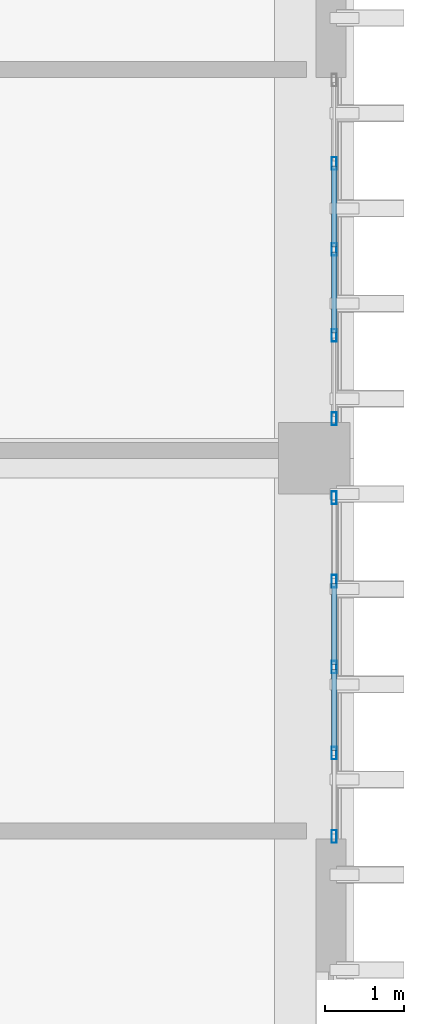
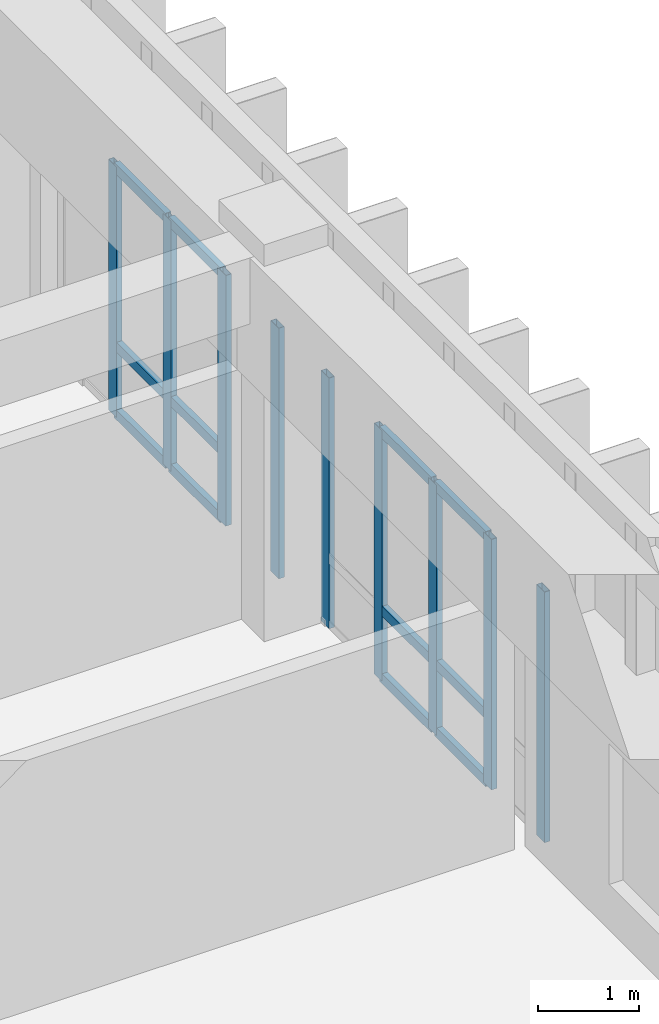
# One storey, part 57 of 101: 21 members, 2 elements without a shape of their own.
"""IFC4 building model written with IfcOpenShell, lengths in metres."""

from ifc_helpers import new_model, si_unit, direction, frame, origin, origin_2d, place, context, subcontext, project, spatial, hollow_rectangle, extrude, material, layer, layer_set, material_profile, profile_set, type_object, element, aggregate, save


model = new_model("IFC4")

# Units and contexts
model_context = context("Model", 3, precision=1e-05, world=origin(), true_north=direction((0.0, 1.0)))
body_context = subcontext(model_context, "Body", "Model", "MODEL_VIEW")
ifc_project = project(units=[si_unit("LENGTHUNIT", "METRE"), si_unit("AREAUNIT", "SQUARE_METRE"), si_unit("VOLUMEUNIT", "CUBIC_METRE"), si_unit("PLANEANGLEUNIT", "RADIAN"), si_unit("MASSUNIT", "GRAM", prefix="KILO")], contexts=[model_context])

# Site, building, storey
site_placement = place(None, origin())
site = spatial("IfcSite", under=ifc_project, at=site_placement, CompositionType="ELEMENT")
building_placement = place(site_placement, origin())
building = spatial("IfcBuilding", under=site, at=building_placement, Name="Nakhvara Creek Congress Hotel", CompositionType="ELEMENT")
storey_placement = place(building_placement, frame((0.0, 0.0, 16.199951171875)))
storey = spatial("IfcBuildingStorey", under=building, at=storey_placement, Name="L03", CompositionType="ELEMENT", Elevation=16.199951171875)

# Curtain wall, members
ifc_material_1 = material(Name="Bronze-anodised aluminium AW-6063-T6 and double-silver low-E glass", Category="aluminium")
ifc_layer = layer(ifc_material_1, 0.199951171875)
ifc_layer_set = layer_set([ifc_layer], Name="Bronze-anodised aluminium AW-6063-T6 and double-silver low-E glass")
curtain_wall_type = type_object("IfcCurtainWallType", Name="CW-HTL-UNIT", PredefinedType="USERDEFINED", material=ifc_layer_set)
curtain_wall_1_placement = place(storey_placement, origin())
curtain_wall_1 = element("IfcCurtainWall", 1, at=curtain_wall_1_placement, inside=storey, type_object=curtain_wall_type, Name="Curtain Wall CW165", ObjectType="UNITISED", PredefinedType="USERDEFINED")
ifc_material_2 = material(Name="Bronze-anodised aluminium AW-6063-T6", Category="aluminium")
ifc_material_profile_1 = material_profile(ifc_material_2, hollow_rectangle(XDim=0.06494140625, YDim=0.159912109375, WallThickness=0.00390625, at=origin_2d()), Name="ALU-MULL 65x160x4", Category="LoadBearing")
ifc_profile_set_1 = profile_set([ifc_material_profile_1], Name="Bronze-anodised aluminium AW-6063-T6")
member_type_1 = type_object("IfcMemberType", Name="CW-MULL-160", PredefinedType="MULLION", material=ifc_profile_set_1)
member_1_placement = place(storey_placement, frame((179.60009765625, 105.1025390625, 0.0), z_axis=(0.0, 0.0, 1.0), x_axis=(1.0, 0.0, 0.0)))
member_1 = element("IfcMember", 2, at=member_1_placement, type_object=member_type_1, Name="CW165 mullion 1", PredefinedType="MULLION", context=body_context, shape_type="SweptSolid", body=[
    extrude(hollow_rectangle(XDim=0.06494140625, YDim=0.159912109375, WallThickness=0.00390625, at=origin_2d()), origin(), (0.0, 0.0, 1.0), 3.031982421875),
])
member_2_placement = place(storey_placement, frame((179.60009765625, 104.05126953125, 0.0), z_axis=(0.0, 0.0, 1.0), x_axis=(1.0, 0.0, 0.0)))
member_2 = element("IfcMember", 3, at=member_2_placement, type_object=member_type_1, Name="CW165 mullion 2", PredefinedType="MULLION", context=body_context, shape_type="SweptSolid", body=[
    extrude(hollow_rectangle(XDim=0.06494140625, YDim=0.159912109375, WallThickness=0.00390625, at=origin_2d()), origin(), (0.0, 0.0, 1.0), 3.031982421875),
])
member_3_placement = place(storey_placement, frame((179.60009765625, 102.967529296875, 0.0), z_axis=(0.0, 0.0, 1.0), x_axis=(1.0, 0.0, 0.0)))
member_3 = element("IfcMember", 4, at=member_3_placement, type_object=member_type_1, Name="CW165 mullion 3", PredefinedType="MULLION", context=body_context, shape_type="SweptSolid", body=[
    extrude(hollow_rectangle(XDim=0.06494140625, YDim=0.159912109375, WallThickness=0.00390625, at=origin_2d()), origin(), (0.0, 0.0, 1.0), 3.031982421875),
])
member_4_placement = place(storey_placement, frame((179.60009765625, 101.8837890625, 0.0), z_axis=(0.0, 0.0, 1.0), x_axis=(1.0, 0.0, 0.0)))
member_4 = element("IfcMember", 5, at=member_4_placement, type_object=member_type_1, Name="CW165 mullion 4", PredefinedType="MULLION", context=body_context, shape_type="SweptSolid", body=[
    extrude(hollow_rectangle(XDim=0.06494140625, YDim=0.159912109375, WallThickness=0.00390625, at=origin_2d()), origin(), (0.0, 0.0, 1.0), 3.031982421875),
])
member_5_placement = place(storey_placement, frame((179.60009765625, 100.83251953125, 0.0), z_axis=(0.0, 0.0, 1.0), x_axis=(1.0, 0.0, 0.0)))
member_5 = element("IfcMember", 6, at=member_5_placement, type_object=member_type_1, Name="CW165 mullion 5", PredefinedType="MULLION", context=body_context, shape_type="SweptSolid", body=[
    extrude(hollow_rectangle(XDim=0.06494140625, YDim=0.159912109375, WallThickness=0.00390625, at=origin_2d()), origin(), (0.0, 0.0, 1.0), 3.031982421875),
])

curtain_wall_2_placement = place(storey_placement, origin())
curtain_wall_2 = element("IfcCurtainWall", 7, at=curtain_wall_2_placement, inside=storey, type_object=curtain_wall_type, Name="Curtain Wall CW167", ObjectType="UNITISED", PredefinedType="USERDEFINED")
member_6_placement = place(storey_placement, frame((179.60009765625, 109.316162109375, 0.0), z_axis=(0.0, 0.0, 1.0), x_axis=(1.0, 0.0, 0.0)))
member_6 = element("IfcMember", 8, at=member_6_placement, type_object=member_type_1, Name="CW167 mullion 2", PredefinedType="MULLION", context=body_context, shape_type="SweptSolid", body=[
    extrude(hollow_rectangle(XDim=0.06494140625, YDim=0.159912109375, WallThickness=0.00390625, at=origin_2d()), origin(), (0.0, 0.0, 1.0), 3.031982421875),
])
member_7_placement = place(storey_placement, frame((179.60009765625, 108.232421875, 0.0), z_axis=(0.0, 0.0, 1.0), x_axis=(1.0, 0.0, 0.0)))
member_7 = element("IfcMember", 9, at=member_7_placement, type_object=member_type_1, Name="CW167 mullion 3", PredefinedType="MULLION", context=body_context, shape_type="SweptSolid", body=[
    extrude(hollow_rectangle(XDim=0.06494140625, YDim=0.159912109375, WallThickness=0.00390625, at=origin_2d()), origin(), (0.0, 0.0, 1.0), 3.031982421875),
])
member_8_placement = place(storey_placement, frame((179.60009765625, 107.148681640625, 0.0), z_axis=(0.0, 0.0, 1.0), x_axis=(1.0, 0.0, 0.0)))
member_8 = element("IfcMember", 10, at=member_8_placement, type_object=member_type_1, Name="CW167 mullion 4", PredefinedType="MULLION", context=body_context, shape_type="SweptSolid", body=[
    extrude(hollow_rectangle(XDim=0.06494140625, YDim=0.159912109375, WallThickness=0.00390625, at=origin_2d()), origin(), (0.0, 0.0, 1.0), 3.031982421875),
])
member_9_placement = place(storey_placement, frame((179.60009765625, 106.097412109375, 0.0), z_axis=(0.0, 0.0, 1.0), x_axis=(1.0, 0.0, 0.0)))
member_9 = element("IfcMember", 11, at=member_9_placement, type_object=member_type_1, Name="CW167 mullion 5", PredefinedType="MULLION", context=body_context, shape_type="SweptSolid", body=[
    extrude(hollow_rectangle(XDim=0.06494140625, YDim=0.159912109375, WallThickness=0.00390625, at=origin_2d()), origin(), (0.0, 0.0, 1.0), 3.031982421875),
])

# Member
ifc_material_profile_2 = material_profile(ifc_material_2, hollow_rectangle(XDim=0.06494140625, YDim=0.1201171875, WallThickness=0.00390625, at=origin_2d()), Name="ALU-TRAN 65x120x4", Category="LoadBearing")
ifc_profile_set_2 = profile_set([ifc_material_profile_2], Name="Bronze-anodised aluminium AW-6063-T6")
member_type_2 = type_object("IfcMemberType", Name="CW-TRAN-120", PredefinedType="USERDEFINED", material=ifc_profile_set_2)
member_10_placement = place(storey_placement, frame((179.60009765625, 104.018798828125, 0.032470703125), z_axis=(0.0, -1.0, 0.0), x_axis=(1.0, 0.0, 0.0)))
member_10 = element("IfcMember", 12, at=member_10_placement, type_object=member_type_2, Name="CW165 transom 2.1", ObjectType="TRANSOM", PredefinedType="USERDEFINED", context=body_context, shape_type="SweptSolid", body=[
    extrude(hollow_rectangle(XDim=0.06494140625, YDim=0.1201171875, WallThickness=0.00390625, at=origin_2d()), origin(), (0.0, 0.0, 1.0), 1.018798828125),
])

member_11_placement = place(storey_placement, frame((179.60009765625, 104.018798828125, 0.85009765625), z_axis=(0.0, -1.0, 0.0), x_axis=(1.0, 0.0, 0.0)))
member_11 = element("IfcMember", 13, at=member_11_placement, type_object=member_type_2, Name="CW165 transom 2.2", ObjectType="TRANSOM", PredefinedType="USERDEFINED", context=body_context, shape_type="SweptSolid", body=[
    extrude(hollow_rectangle(XDim=0.06494140625, YDim=0.1201171875, WallThickness=0.00390625, at=origin_2d()), origin(), (0.0, 0.0, 1.0), 1.018798828125),
])

member_12_placement = place(storey_placement, frame((179.60009765625, 104.018798828125, 2.99951171875), z_axis=(0.0, -1.0, 0.0), x_axis=(1.0, 0.0, 0.0)))
member_12 = element("IfcMember", 14, at=member_12_placement, type_object=member_type_2, Name="CW165 transom 2.3", ObjectType="TRANSOM", PredefinedType="USERDEFINED", context=body_context, shape_type="SweptSolid", body=[
    extrude(hollow_rectangle(XDim=0.06494140625, YDim=0.1201171875, WallThickness=0.00390625, at=origin_2d()), origin(), (0.0, 0.0, 1.0), 1.018798828125),
])

member_13_placement = place(storey_placement, frame((179.60009765625, 102.93505859375, 0.032470703125), z_axis=(0.0, -1.0, 0.0), x_axis=(1.0, 0.0, 0.0)))
member_13 = element("IfcMember", 15, at=member_13_placement, type_object=member_type_2, Name="CW165 transom 3.1", ObjectType="TRANSOM", PredefinedType="USERDEFINED", context=body_context, shape_type="SweptSolid", body=[
    extrude(hollow_rectangle(XDim=0.06494140625, YDim=0.1201171875, WallThickness=0.00390625, at=origin_2d()), origin(), (0.0, 0.0, 1.0), 1.018798828125),
])

member_14_placement = place(storey_placement, frame((179.60009765625, 102.93505859375, 0.85009765625), z_axis=(0.0, -1.0, 0.0), x_axis=(1.0, 0.0, 0.0)))
member_14 = element("IfcMember", 16, at=member_14_placement, type_object=member_type_2, Name="CW165 transom 3.2", ObjectType="TRANSOM", PredefinedType="USERDEFINED", context=body_context, shape_type="SweptSolid", body=[
    extrude(hollow_rectangle(XDim=0.06494140625, YDim=0.1201171875, WallThickness=0.00390625, at=origin_2d()), origin(), (0.0, 0.0, 1.0), 1.018798828125),
])

member_15_placement = place(storey_placement, frame((179.60009765625, 102.93505859375, 2.99951171875), z_axis=(0.0, -1.0, 0.0), x_axis=(1.0, 0.0, 0.0)))
member_15 = element("IfcMember", 17, at=member_15_placement, type_object=member_type_2, Name="CW165 transom 3.3", ObjectType="TRANSOM", PredefinedType="USERDEFINED", context=body_context, shape_type="SweptSolid", body=[
    extrude(hollow_rectangle(XDim=0.06494140625, YDim=0.1201171875, WallThickness=0.00390625, at=origin_2d()), origin(), (0.0, 0.0, 1.0), 1.018798828125),
])

aggregate(curtain_wall_1, [member_1, member_2, member_3, member_4, member_5, member_10, member_11, member_12, member_13, member_14, member_15])

member_16_placement = place(storey_placement, frame((179.60009765625, 109.28369140625, 0.032470703125), z_axis=(0.0, -1.0, 0.0), x_axis=(1.0, 0.0, 0.0)))
member_16 = element("IfcMember", 18, at=member_16_placement, type_object=member_type_2, Name="CW167 transom 2.1", ObjectType="TRANSOM", PredefinedType="USERDEFINED", context=body_context, shape_type="SweptSolid", body=[
    extrude(hollow_rectangle(XDim=0.06494140625, YDim=0.1201171875, WallThickness=0.00390625, at=origin_2d()), origin(), (0.0, 0.0, 1.0), 1.018798828125),
])

member_17_placement = place(storey_placement, frame((179.60009765625, 109.28369140625, 0.85009765625), z_axis=(0.0, -1.0, 0.0), x_axis=(1.0, 0.0, 0.0)))
member_17 = element("IfcMember", 19, at=member_17_placement, type_object=member_type_2, Name="CW167 transom 2.2", ObjectType="TRANSOM", PredefinedType="USERDEFINED", context=body_context, shape_type="SweptSolid", body=[
    extrude(hollow_rectangle(XDim=0.06494140625, YDim=0.1201171875, WallThickness=0.00390625, at=origin_2d()), origin(), (0.0, 0.0, 1.0), 1.018798828125),
])

member_18_placement = place(storey_placement, frame((179.60009765625, 109.28369140625, 2.99951171875), z_axis=(0.0, -1.0, 0.0), x_axis=(1.0, 0.0, 0.0)))
member_18 = element("IfcMember", 20, at=member_18_placement, type_object=member_type_2, Name="CW167 transom 2.3", ObjectType="TRANSOM", PredefinedType="USERDEFINED", context=body_context, shape_type="SweptSolid", body=[
    extrude(hollow_rectangle(XDim=0.06494140625, YDim=0.1201171875, WallThickness=0.00390625, at=origin_2d()), origin(), (0.0, 0.0, 1.0), 1.018798828125),
])

member_19_placement = place(storey_placement, frame((179.60009765625, 108.199951171875, 0.032470703125), z_axis=(0.0, -1.0, 0.0), x_axis=(1.0, 0.0, 0.0)))
member_19 = element("IfcMember", 21, at=member_19_placement, type_object=member_type_2, Name="CW167 transom 3.1", ObjectType="TRANSOM", PredefinedType="USERDEFINED", context=body_context, shape_type="SweptSolid", body=[
    extrude(hollow_rectangle(XDim=0.06494140625, YDim=0.1201171875, WallThickness=0.00390625, at=origin_2d()), origin(), (0.0, 0.0, 1.0), 1.018798828125),
])

member_20_placement = place(storey_placement, frame((179.60009765625, 108.199951171875, 0.85009765625), z_axis=(0.0, -1.0, 0.0), x_axis=(1.0, 0.0, 0.0)))
member_20 = element("IfcMember", 22, at=member_20_placement, type_object=member_type_2, Name="CW167 transom 3.2", ObjectType="TRANSOM", PredefinedType="USERDEFINED", context=body_context, shape_type="SweptSolid", body=[
    extrude(hollow_rectangle(XDim=0.06494140625, YDim=0.1201171875, WallThickness=0.00390625, at=origin_2d()), origin(), (0.0, 0.0, 1.0), 1.018798828125),
])

member_21_placement = place(storey_placement, frame((179.60009765625, 108.199951171875, 2.99951171875), z_axis=(0.0, -1.0, 0.0), x_axis=(1.0, 0.0, 0.0)))
member_21 = element("IfcMember", 23, at=member_21_placement, type_object=member_type_2, Name="CW167 transom 3.3", ObjectType="TRANSOM", PredefinedType="USERDEFINED", context=body_context, shape_type="SweptSolid", body=[
    extrude(hollow_rectangle(XDim=0.06494140625, YDim=0.1201171875, WallThickness=0.00390625, at=origin_2d()), origin(), (0.0, 0.0, 1.0), 1.018798828125),
])

aggregate(curtain_wall_2, [member_6, member_7, member_8, member_9, member_16, member_17, member_18, member_19, member_20, member_21])

save(model, "model.ifc")
